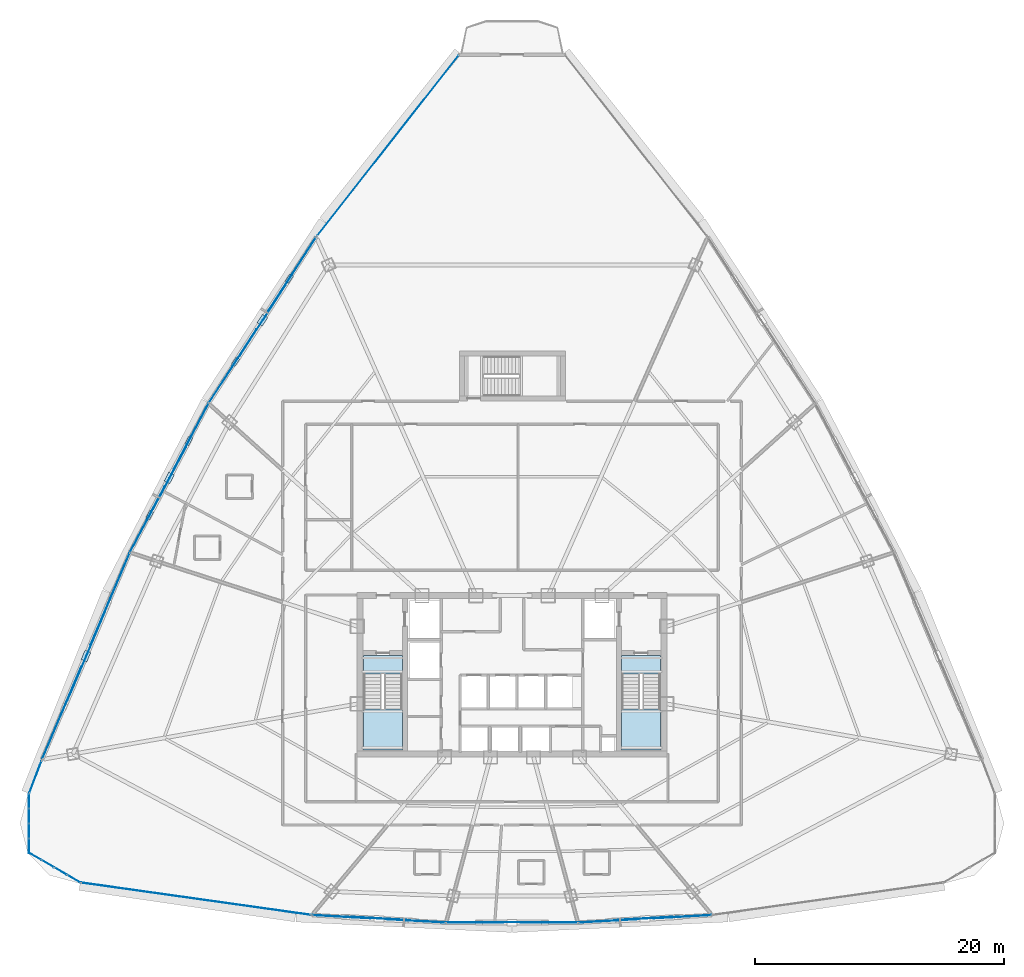
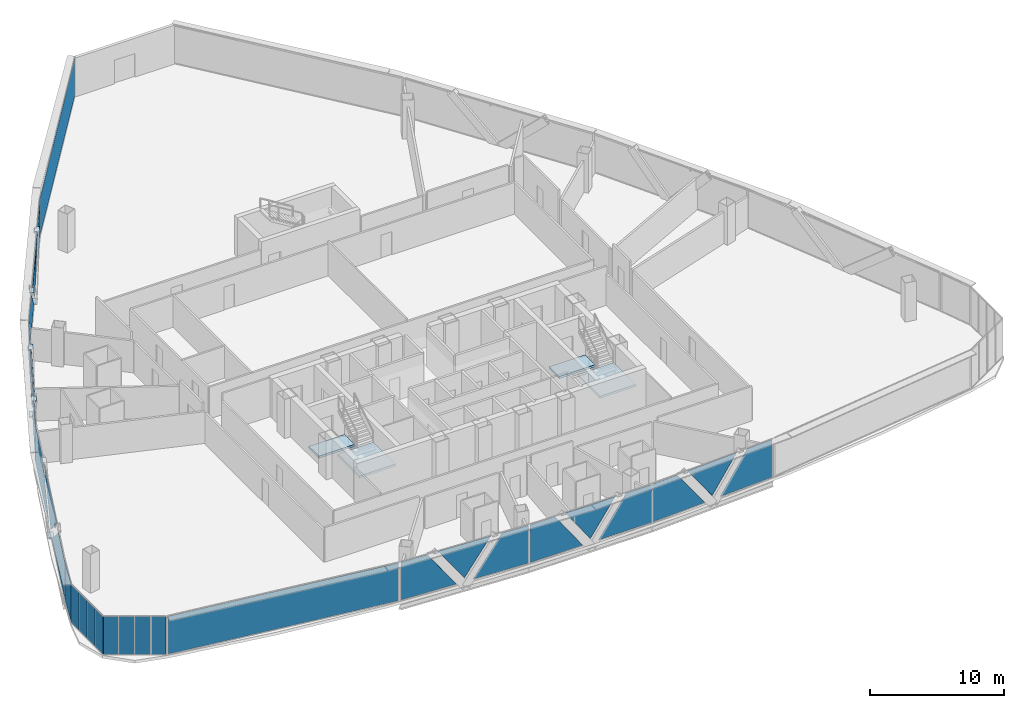
# One storey, part 28 of 40: 36 plates, 4 slabs, 13 elements without a shape of their own.
"""IFC4 building model written with IfcOpenShell, lengths in metres."""

from ifc_helpers import new_model, si_unit, direction, frame, origin, origin_2d, place, context, subcontext, project, spatial, polyline, rectangle, outline, extrude, source, transform, mapped, material, layer, layer_set, type_object, element, aggregate, save


model = new_model("IFC4")

# Units and contexts
model_context = context("Model", 3, precision=1e-05, world=origin(), true_north=direction((0.0, 1.0)))
body_context = subcontext(model_context, "Body", "Model", "MODEL_VIEW")
ifc_project = project(units=[si_unit("LENGTHUNIT", "METRE"), si_unit("AREAUNIT", "SQUARE_METRE"), si_unit("VOLUMEUNIT", "CUBIC_METRE"), si_unit("PLANEANGLEUNIT", "RADIAN"), si_unit("MASSUNIT", "GRAM", prefix="KILO"), si_unit("THERMODYNAMICTEMPERATUREUNIT", "KELVIN"), si_unit("POWERUNIT", "WATT")], contexts=[model_context])

# Site, building, storey
site_placement = place(None, origin())
site = spatial("IfcSite", under=ifc_project, at=site_placement, CompositionType="ELEMENT")
building_placement = place(site_placement, origin())
building = spatial("IfcBuilding", under=site, at=building_placement, Name="Yunzhuo Pagoda Commons", CompositionType="ELEMENT")
storey_placement = place(building_placement, frame((0.0, 0.0, 184.760009765625)))
storey = spatial("IfcBuildingStorey", under=building, at=storey_placement, Name="L46", CompositionType="ELEMENT", Elevation=184.760009765625)

# Curtain wall, plates
ifc_material_1 = material(Name="Anodized aluminium 6063-T6", Category="aluminium")
ifc_layer_1 = layer(ifc_material_1, 0.14990234375)
ifc_layer_set_1 = layer_set([ifc_layer_1], Name="Anodized aluminium 6063-T6")
curtain_wall_type_1 = type_object("IfcCurtainWallType", Name="CW-MID Mid-Zone Ribbon Curtain Wall", PredefinedType="NOTDEFINED", material=ifc_layer_set_1)
curtain_wall_1_placement = place(storey_placement, origin())
curtain_wall_1 = element("IfcCurtainWall", 1, at=curtain_wall_1_placement, inside=storey, type_object=curtain_wall_type_1, Name="L46 curtain wall CW-L46-F1B2", PredefinedType="NOTDEFINED")
ifc_material_2 = material(Name="Tempered low-e double glazing", Category="glass")
ifc_layer_2 = layer(ifc_material_2, 0.028076171875)
ifc_layer_set_2 = layer_set([ifc_layer_2], Name="Tempered low-e double glazing")
plate_type_1 = type_object("IfcPlateType", Name="CW-MID-P Low-E Double Glazing 28", PredefinedType="CURTAIN_PANEL", material=ifc_layer_set_2)
plate_1_placement = place(storey_placement, frame((34.329345703125, 14.455810546875, 1.77001953125), z_axis=(-0.056142665584, -0.998422756702, 0.0), x_axis=(0.998422756702, -0.056142665584, 0.0)))
plate_1 = element("IfcPlate", 2, at=plate_1_placement, type_object=plate_type_1, Name="CW panel 1.1 lite 1", PredefinedType="CURTAIN_PANEL", context=body_context, shape_type="SweptSolid", body=[
    extrude(outline(polyline([(-2.31982421875, -1.715087890625), (2.31982421875, -1.715087890625), (-0.1123046875, 1.715087890625), (-2.31982421875, 1.715087890625), (-2.31982421875, -1.715087890625)])), origin(), (0.0, 0.0, 1.0), 0.028076171875),
])
plate_2_placement = place(storey_placement, frame((37.33544921875, 14.31689453125, 1.94091796875), z_axis=(-0.056142665584, -0.998422756702, 0.0), x_axis=(0.998422756702, -0.056142665584, 0.0)))
plate_2 = element("IfcPlate", 3, at=plate_2_placement, type_object=plate_type_1, Name="CW panel 1.1 lite 2", PredefinedType="CURTAIN_PANEL", context=body_context, shape_type="SweptSolid", body=[
    extrude(outline(polyline([(-2.189697265625, 1.5439453125), (0.0, -1.5439453125), (2.189697265625, 1.5439453125), (-2.189697265625, 1.5439453125)])), origin(), (0.0, 0.0, 1.0), 0.028076171875),
])
plate_3_placement = place(storey_placement, frame((40.338134765625, 14.117919921875, 1.77001953125), z_axis=(-0.056142665584, -0.998422756702, 0.0), x_axis=(0.998422756702, -0.056142665584, 0.0)))
plate_3 = element("IfcPlate", 4, at=plate_3_placement, type_object=plate_type_1, Name="CW panel 1.1 lite 3", PredefinedType="CURTAIN_PANEL", context=body_context, shape_type="SweptSolid", body=[
    extrude(outline(polyline([(-2.31982421875, -1.715087890625), (2.31982421875, -1.715087890625), (2.31982421875, 1.715087890625), (0.1123046875, 1.715087890625), (-2.31982421875, -1.715087890625)])), origin(), (0.0, 0.0, 1.0), 0.028076171875),
])
aggregate(curtain_wall_1, [plate_1, plate_2, plate_3])

curtain_wall_2_placement = place(storey_placement, origin())
curtain_wall_2 = element("IfcCurtainWall", 5, at=curtain_wall_2_placement, inside=storey, type_object=curtain_wall_type_1, Name="L46 curtain wall CW-L46-F1B3", PredefinedType="NOTDEFINED")
plate_4_placement = place(storey_placement, frame((45.045654296875, 13.984375, 1.77001953125), z_axis=(0.0, -1.0, 0.0), x_axis=(1.0, 0.0, 0.0)))
plate_4 = element("IfcPlate", 6, at=plate_4_placement, type_object=plate_type_1, Name="CW panel 1.1 lite 1", PredefinedType="CURTAIN_PANEL", context=body_context, shape_type="SweptSolid", body=[
    extrude(outline(polyline([(-2.272216796875, -1.715087890625), (2.272216796875, -1.715087890625), (-0.113525390625, 1.715087890625), (-2.272216796875, 1.715087890625), (-2.272216796875, -1.715087890625)])), origin(), (0.0, 0.0, 1.0), 0.028076171875),
])
plate_5_placement = place(storey_placement, frame((48.0, 14.0146484375, 1.9453125), z_axis=(0.0, -1.0, 0.0), x_axis=(1.0, 0.0, 0.0)))
plate_5 = element("IfcPlate", 7, at=plate_5_placement, type_object=plate_type_1, Name="CW panel 1.1 lite 2", PredefinedType="CURTAIN_PANEL", context=body_context, shape_type="SweptSolid", body=[
    extrude(outline(polyline([(-2.14208984375, 1.539794921875), (0.0, -1.539794921875), (2.14208984375, 1.539794921875), (-2.14208984375, 1.539794921875)])), origin(), (0.0, 0.0, 1.0), 0.028076171875),
])
plate_6_placement = place(storey_placement, frame((50.954345703125, 13.984375, 1.77001953125), z_axis=(0.0, -1.0, 0.0), x_axis=(1.0, 0.0, 0.0)))
plate_6 = element("IfcPlate", 8, at=plate_6_placement, type_object=plate_type_1, Name="CW panel 1.1 lite 3", PredefinedType="CURTAIN_PANEL", context=body_context, shape_type="SweptSolid", body=[
    extrude(outline(polyline([(-2.272216796875, -1.715087890625), (2.272216796875, -1.715087890625), (2.272216796875, 1.715087890625), (0.113525390625, 1.715087890625), (-2.272216796875, -1.715087890625)])), origin(), (0.0, 0.0, 1.0), 0.028076171875),
])
aggregate(curtain_wall_2, [plate_4, plate_5, plate_6])

curtain_wall_3_placement = place(storey_placement, origin())
curtain_wall_3 = element("IfcCurtainWall", 9, at=curtain_wall_3_placement, inside=storey, type_object=curtain_wall_type_1, Name="L46 curtain wall CW-L46-F1B4", PredefinedType="NOTDEFINED")
plate_7_placement = place(storey_placement, frame((55.661865234375, 14.117919921875, 1.77001953125), z_axis=(0.056142665584, -0.998422756702, 0.0), x_axis=(0.998422756702, 0.056142665584, 0.0)))
plate_7 = element("IfcPlate", 10, at=plate_7_placement, type_object=plate_type_1, Name="CW panel 1.1 lite 1", PredefinedType="CURTAIN_PANEL", context=body_context, shape_type="SweptSolid", body=[
    extrude(outline(polyline([(-2.31982421875, -1.715087890625), (2.31982421875, -1.715087890625), (-0.1123046875, 1.715087890625), (-2.31982421875, 1.715087890625), (-2.31982421875, -1.715087890625)])), origin(), (0.0, 0.0, 1.0), 0.028076171875),
])
plate_8_placement = place(storey_placement, frame((58.66455078125, 14.31689453125, 1.94091796875), z_axis=(0.056142665584, -0.998422756702, 0.0), x_axis=(0.998422756702, 0.056142665584, 0.0)))
plate_8 = element("IfcPlate", 11, at=plate_8_placement, type_object=plate_type_1, Name="CW panel 1.1 lite 2", PredefinedType="CURTAIN_PANEL", context=body_context, shape_type="SweptSolid", body=[
    extrude(outline(polyline([(-2.189697265625, 1.5439453125), (0.0, -1.5439453125), (2.189697265625, 1.5439453125), (-2.189697265625, 1.5439453125)])), origin(), (0.0, 0.0, 1.0), 0.028076171875),
])
plate_9_placement = place(storey_placement, frame((61.670654296875, 14.455810546875, 1.77001953125), z_axis=(0.056142665584, -0.998422756702, 0.0), x_axis=(0.998422756702, 0.056142665584, 0.0)))
plate_9 = element("IfcPlate", 12, at=plate_9_placement, type_object=plate_type_1, Name="CW panel 1.1 lite 3", PredefinedType="CURTAIN_PANEL", context=body_context, shape_type="SweptSolid", body=[
    extrude(outline(polyline([(-2.31982421875, -1.715087890625), (2.31982421875, -1.715087890625), (2.31982421875, 1.715087890625), (0.1123046875, 1.715087890625), (-2.31982421875, -1.715087890625)])), origin(), (0.0, 0.0, 1.0), 0.028076171875),
])
aggregate(curtain_wall_3, [plate_7, plate_8, plate_9])

curtain_wall_4_placement = place(storey_placement, origin())
curtain_wall_4 = element("IfcCurtainWall", 13, at=curtain_wall_4_placement, inside=storey, type_object=curtain_wall_type_1, Name="L46 curtain wall CW-L46-F3B2", PredefinedType="NOTDEFINED")
plate_10_placement = place(storey_placement, frame((30.375732421875, 65.96044921875, 1.77001953125), z_axis=(-0.839626850374, 0.543163651335, 0.0), x_axis=(-0.543163651335, -0.839626850374, 0.0)))
plate_10 = element("IfcPlate", 14, at=plate_10_placement, type_object=plate_type_1, Name="CW panel 1.1 lite 1", PredefinedType="CURTAIN_PANEL", context=body_context, shape_type="SweptSolid", body=[
    extrude(outline(polyline([(-3.505126953125, -1.715087890625), (3.505126953125, -1.715087890625), (-0.082763671875, 1.715087890625), (-3.505126953125, 1.715087890625), (-3.505126953125, -1.715087890625)])), origin(), (0.0, 0.0, 1.0), 0.028076171875),
])
plate_11_placement = place(storey_placement, frame((28.01953125, 62.2626953125, 1.87548828125), z_axis=(-0.839626850374, 0.543163651335, 0.0), x_axis=(-0.543163651335, -0.839626850374, 0.0)))
plate_11 = element("IfcPlate", 15, at=plate_11_placement, type_object=plate_type_1, Name="CW panel 1.1 lite 2", PredefinedType="CURTAIN_PANEL", context=body_context, shape_type="SweptSolid", body=[
    extrude(outline(polyline([(-3.367431640625, 1.609619140625), (0.0, -1.609619140625), (3.367431640625, 1.609619140625), (-3.367431640625, 1.609619140625)])), origin(), (0.0, 0.0, 1.0), 0.028076171875),
])
plate_12_placement = place(storey_placement, frame((25.61279296875, 58.597412109375, 1.77001953125), z_axis=(-0.839626850374, 0.543163651335, 0.0), x_axis=(-0.543163651335, -0.839626850374, 0.0)))
plate_12 = element("IfcPlate", 16, at=plate_12_placement, type_object=plate_type_1, Name="CW panel 1.1 lite 3", PredefinedType="CURTAIN_PANEL", context=body_context, shape_type="SweptSolid", body=[
    extrude(outline(polyline([(-3.505126953125, -1.715087890625), (3.505126953125, -1.715087890625), (3.505126953125, 1.715087890625), (0.082763671875, 1.715087890625), (-3.505126953125, -1.715087890625)])), origin(), (0.0, 0.0, 1.0), 0.028076171875),
])
aggregate(curtain_wall_4, [plate_10, plate_11, plate_12])

curtain_wall_5_placement = place(storey_placement, origin())
curtain_wall_5 = element("IfcCurtainWall", 17, at=curtain_wall_5_placement, inside=storey, type_object=curtain_wall_type_1, Name="L46 curtain wall CW-L46-F3B3", PredefinedType="NOTDEFINED")
plate_13_placement = place(storey_placement, frame((22.26953125, 52.938720703125, 1.77001953125), z_axis=(-0.884373131246, 0.46678063877, 0.0), x_axis=(-0.46678063877, -0.884373131246, 0.0)))
plate_13 = element("IfcPlate", 18, at=plate_13_placement, type_object=plate_type_1, Name="CW panel 1.1 lite 1", PredefinedType="CURTAIN_PANEL", context=body_context, shape_type="SweptSolid", body=[
    extrude(outline(polyline([(-2.955078125, -1.715087890625), (2.955078125, -1.715087890625), (-0.09521484375, 1.715087890625), (-2.955078125, 1.715087890625), (-2.955078125, -1.715087890625)])), origin(), (0.0, 0.0, 1.0), 0.028076171875),
])
plate_14_placement = place(storey_placement, frame((20.548828125, 49.61376953125, 1.8984375), z_axis=(-0.884373131246, 0.46678063877, 0.0), x_axis=(-0.46678063877, -0.884373131246, 0.0)))
plate_14 = element("IfcPlate", 19, at=plate_14_placement, type_object=plate_type_1, Name="CW panel 1.1 lite 2", PredefinedType="CURTAIN_PANEL", context=body_context, shape_type="SweptSolid", body=[
    extrude(outline(polyline([(-2.822021484375, 1.586669921875), (0.0, -1.586669921875), (2.822021484375, 1.586669921875), (-2.822021484375, 1.586669921875)])), origin(), (0.0, 0.0, 1.0), 0.028076171875),
])
plate_15_placement = place(storey_placement, frame((18.774658203125, 46.317138671875, 1.77001953125), z_axis=(-0.884373131246, 0.46678063877, 0.0), x_axis=(-0.46678063877, -0.884373131246, 0.0)))
plate_15 = element("IfcPlate", 20, at=plate_15_placement, type_object=plate_type_1, Name="CW panel 1.1 lite 3", PredefinedType="CURTAIN_PANEL", context=body_context, shape_type="SweptSolid", body=[
    extrude(outline(polyline([(-2.955078125, -1.715087890625), (2.955078125, -1.715087890625), (2.955078125, 1.715087890625), (0.095458984375, 1.715087890625), (-2.955078125, -1.715087890625)])), origin(), (0.0, 0.0, 1.0), 0.028076171875),
])
aggregate(curtain_wall_5, [plate_13, plate_14, plate_15])

curtain_wall_6_placement = place(storey_placement, origin())
curtain_wall_6 = element("IfcCurtainWall", 21, at=curtain_wall_6_placement, inside=storey, type_object=curtain_wall_type_1, Name="L46 curtain wall CW-L46-F3B4", PredefinedType="NOTDEFINED")
plate_16_placement = place(storey_placement, frame((15.782470703125, 39.916748046875, 1.77001953125), z_axis=(-0.920515325194, 0.390706457693, 0.0), x_axis=(-0.390706457693, -0.920515325194, 0.0)))
plate_16 = element("IfcPlate", 22, at=plate_16_placement, type_object=plate_type_1, Name="CW panel 1.1 lite 1", PredefinedType="CURTAIN_PANEL", context=body_context, shape_type="SweptSolid", body=[
    extrude(outline(polyline([(-3.99755859375, -1.715087890625), (3.99755859375, -1.715087890625), (-0.07275390625, 1.715087890625), (-3.99755859375, 1.715087890625), (-3.99755859375, -1.715087890625)])), origin(), (0.0, 0.0, 1.0), 0.028076171875),
])
plate_17_placement = place(storey_placement, frame((13.871826171875, 35.33837890625, 1.86083984375), z_axis=(-0.920515325194, 0.390706457693, 0.0), x_axis=(-0.390706457693, -0.920515325194, 0.0)))
plate_17 = element("IfcPlate", 23, at=plate_17_placement, type_object=plate_type_1, Name="CW panel 1.1 lite 2", PredefinedType="CURTAIN_PANEL", context=body_context, shape_type="SweptSolid", body=[
    extrude(outline(polyline([(-3.8544921875, 1.6240234375), (0.0, -1.6240234375), (3.8544921875, 1.6240234375), (-3.8544921875, 1.6240234375)])), origin(), (0.0, 0.0, 1.0), 0.028076171875),
])
plate_18_placement = place(storey_placement, frame((11.906005859375, 30.783447265625, 1.77001953125), z_axis=(-0.920515325194, 0.390706457693, 0.0), x_axis=(-0.390706457693, -0.920515325194, 0.0)))
plate_18 = element("IfcPlate", 24, at=plate_18_placement, type_object=plate_type_1, Name="CW panel 1.1 lite 3", PredefinedType="CURTAIN_PANEL", context=body_context, shape_type="SweptSolid", body=[
    extrude(outline(polyline([(-3.99755859375, -1.715087890625), (3.99755859375, -1.715087890625), (3.99755859375, 1.715087890625), (0.072509765625, 1.715087890625), (-3.99755859375, -1.715087890625)])), origin(), (0.0, 0.0, 1.0), 0.028076171875),
])
aggregate(curtain_wall_6, [plate_16, plate_17, plate_18])

# Stair, slabs
ifc_material_3 = material(Name="Concrete C40", Category="concrete")
stair_type_1 = type_object("IfcStairType", Name="ST-C1 Core Smokeproof Stair ST1", PredefinedType="HALF_TURN_STAIR", material=ifc_material_3)
stair_1_placement = place(storey_placement, origin())
stair_1 = element("IfcStair", 25, at=stair_1_placement, inside=storey, type_object=stair_type_1, Name="L46 Core smokeproof stair ST1", PredefinedType="HALF_TURN_STAIR")
ifc_layer_3 = layer(ifc_material_3, 0.199951171875)
ifc_layer_set_3 = layer_set([ifc_layer_3], Name="Concrete C40")
slab_type_1 = type_object("IfcSlabType", Name="SL-LND1 Stair Landing Slab 200", PredefinedType="LANDING", material=ifc_layer_set_3)
slab_1_placement = place(storey_placement, frame((0.0, 0.0, 1.699951171875)))
slab_1 = element("IfcSlab", 26, at=slab_1_placement, type_object=slab_type_1, Name="ST1 landing 1", PredefinedType="LANDING", context=body_context, shape_type="SweptSolid", body=[
    extrude(outline(polyline([(36.10009765625, 31.10009765625), (36.10009765625, 27.800048828125), (39.199951171875, 27.800048828125), (39.199951171875, 31.10009765625), (36.10009765625, 31.10009765625)])), origin(), (0.0, 0.0, 1.0), 0.199951171875),
])
slab_2_placement = place(storey_placement, frame((0.0, 0.0, -0.199951171875)))
slab_2 = element("IfcSlab", 27, at=slab_2_placement, type_object=slab_type_1, Name="ST1 floor landing L46", PredefinedType="LANDING", context=body_context, shape_type="SweptSolid", body=[
    extrude(outline(polyline([(36.10009765625, 35.39990234375), (36.10009765625, 33.89990234375), (39.199951171875, 33.89990234375), (39.199951171875, 35.39990234375), (36.10009765625, 35.39990234375)])), origin(), (0.0, 0.0, 1.0), 0.199951171875),
])
aggregate(stair_1, [slab_1, slab_2])

stair_type_2 = type_object("IfcStairType", Name="ST-C2 Core Smokeproof Stair ST2", PredefinedType="HALF_TURN_STAIR", material=ifc_material_3)
stair_2_placement = place(storey_placement, origin())
stair_2 = element("IfcStair", 28, at=stair_2_placement, inside=storey, type_object=stair_type_2, Name="L46 Core smokeproof stair ST2", PredefinedType="HALF_TURN_STAIR")
ifc_layer_4 = layer(ifc_material_3, 0.201904296875)
ifc_layer_set_4 = layer_set([ifc_layer_4], Name="Concrete C40")
slab_type_2 = type_object("IfcSlabType", Name="SL-LND2 Stair Landing Slab 202", PredefinedType="LANDING", material=ifc_layer_set_4)
slab_3_placement = place(storey_placement, frame((0.0, 0.0, 1.699951171875)))
slab_3 = element("IfcSlab", 29, at=slab_3_placement, type_object=slab_type_2, Name="ST2 landing 1", PredefinedType="LANDING", context=body_context, shape_type="SweptSolid", body=[
    extrude(outline(polyline([(56.800048828125, 31.10009765625), (56.800048828125, 27.800048828125), (59.89990234375, 27.800048828125), (59.89990234375, 31.10009765625), (56.800048828125, 31.10009765625)])), origin(), (0.0, 0.0, 1.0), 0.199951171875),
])
slab_4_placement = place(storey_placement, frame((0.0, 0.0, -0.199951171875)))
slab_4 = element("IfcSlab", 30, at=slab_4_placement, type_object=slab_type_2, Name="ST2 floor landing L46", PredefinedType="LANDING", context=body_context, shape_type="SweptSolid", body=[
    extrude(outline(polyline([(56.800048828125, 35.39990234375), (56.800048828125, 33.89990234375), (59.89990234375, 33.89990234375), (59.89990234375, 35.39990234375), (56.800048828125, 35.39990234375)])), origin(), (0.0, 0.0, 1.0), 0.199951171875),
])
aggregate(stair_2, [slab_3, slab_4])

# Plates
ifc_material_4 = material(Name="Structural steel Q355B", Category="steel")
ifc_layer_5 = layer(ifc_material_4, 0.028076171875)
ifc_layer_set_5 = layer_set([ifc_layer_5], Name="Structural steel Q355B")
plate_type_2 = type_object("IfcPlateType", Name="SP-ND1 Lattice Node Cap Plate 800x500x28", PredefinedType="USERDEFINED", material=ifc_layer_set_5)
shared_shape_1 = source(origin(), body_context, "Body", "SweptSolid", [
    extrude(rectangle(XDim=0.800048828125, YDim=0.5, at=origin_2d()), origin(), (0.0, 0.0, 1.0), 0.028076171875),
])
for number, where, z_axis, x_axis, name in (
    (31, (27.982666015625, 62.28662109375, -0.27392578125), (0.0, 0.0, 1.0), (-0.543159795737, -0.839629344589, 0.0), "L46 diamond node plate F3.1A"),
    (32, (20.509765625, 49.634521484375, -0.27392578125), (0.0, 0.0, 1.0), (-0.46678800242, -0.884369244601, 0.0), "L46 diamond node plate F3.2A"),
    (33, (13.831298828125, 35.35546875, -0.27392578125), (0.0, 0.0, 1.0), (-0.39069899657, -0.920518491981, 0.0), "L46 diamond node plate F3.3A"),
):
    element("IfcPlate", number, at=place(storey_placement, frame(where, z_axis=z_axis, x_axis=x_axis)), inside=storey, type_object=plate_type_2, Name=name, ObjectType="STIFFENER_PLATE", PredefinedType="USERDEFINED", context=body_context, shape_type="MappedRepresentation", body=[
        mapped(shared_shape_1, transform((0.0, 0.0, 0.0), scale=1.0)),
    ])
shared_shape_2 = source(origin(), body_context, "Body", "SweptSolid", [
    extrude(rectangle(XDim=0.699951171875, YDim=0.35009765625, at=origin_2d()), origin(), (0.0, 0.0, 1.0), 0.035888671875),
])
for number, where, z_axis, x_axis, name in (
    (34, (30.1416015625, 65.623779296875, 3.501953125), (0.0, 0.0, 1.0), (-0.543159795737, -0.839629344589, 0.0), "L46 setback lattice tie plate F3.1L"),
    (35, (25.823486328125, 58.94921875, 3.501953125), (0.0, 0.0, 1.0), (-0.543159795737, -0.839629344589, 0.0), "L46 setback lattice tie plate F3.1R"),
    (36, (22.087158203125, 52.623046875, 3.501953125), (0.0, 0.0, 1.0), (-0.46678800242, -0.884369244601, 0.0), "L46 setback lattice tie plate F3.2L"),
    (37, (18.932373046875, 46.645751953125, 3.501953125), (0.0, 0.0, 1.0), (-0.46678800242, -0.884369244601, 0.0), "L46 setback lattice tie plate F3.2R"),
):
    element("IfcPlate", number, at=place(storey_placement, frame(where, z_axis=z_axis, x_axis=x_axis)), inside=storey, type_object=plate_type_2, Name=name, ObjectType="STIFFENER_PLATE", PredefinedType="USERDEFINED", context=body_context, shape_type="MappedRepresentation", body=[
        mapped(shared_shape_2, transform((0.0, 0.0, 0.0), scale=1.0)),
    ])

# Curtain wall, plate
curtain_wall_7_placement = place(storey_placement, origin())
curtain_wall_7 = element("IfcCurtainWall", 38, at=curtain_wall_7_placement, inside=storey, type_object=curtain_wall_type_1, Name="L46 curtain wall CW-L46-F1B1", PredefinedType="NOTDEFINED")
shared_shape_3 = source(origin(), body_context, "Body", "SweptSolid", [
    extrude(rectangle(XDim=18.564453125, YDim=0.028076171875, at=origin_2d()), origin(), (0.0, 0.0, 1.0), 3.429931640625),
])
plate_19_placement = place(storey_placement, frame((22.626953125, 15.88671875, 0.05517578125), z_axis=(0.0, 0.0, 1.0), x_axis=(0.990259634524, -0.139233100351, 0.0)))
plate_19 = element("IfcPlate", 39, at=plate_19_placement, type_object=plate_type_1, Name="CW panel 1.1", PredefinedType="CURTAIN_PANEL", context=body_context, shape_type="MappedRepresentation", body=[
    mapped(shared_shape_3, transform((0.0, 0.0, 0.0), scale=1.0)),
])
aggregate(curtain_wall_7, [plate_19])

curtain_wall_8_placement = place(storey_placement, origin())
curtain_wall_8 = element("IfcCurtainWall", 40, at=curtain_wall_8_placement, inside=storey, type_object=curtain_wall_type_1, Name="L46 curtain wall CW-L46-F3B5", PredefinedType="NOTDEFINED")
shared_shape_4 = source(origin(), body_context, "Body", "SweptSolid", [
    extrude(rectangle(XDim=2.718994140625, YDim=0.028076171875, at=origin_2d()), origin(), (0.0, 0.0, 1.0), 3.429931640625),
])
plate_20_placement = place(storey_placement, frame((9.7783203125, 25.65625, 0.05517578125), z_axis=(0.0, 0.0, 1.0), x_axis=(-0.354256000401, -0.935148483493, 0.0)))
plate_20 = element("IfcPlate", 41, at=plate_20_placement, type_object=plate_type_1, Name="CW panel 1.1", PredefinedType="CURTAIN_PANEL", context=body_context, shape_type="MappedRepresentation", body=[
    mapped(shared_shape_4, transform((0.0, 0.0, 0.0), scale=1.0)),
])
aggregate(curtain_wall_8, [plate_20])

curtain_wall_9_placement = place(storey_placement, origin())
curtain_wall_9 = element("IfcCurtainWall", 42, at=curtain_wall_9_placement, inside=storey, type_object=curtain_wall_type_1, Name="L46 curtain wall CW-L46-F3B1", PredefinedType="NOTDEFINED")
shared_shape_5 = source(origin(), body_context, "Body", "SweptSolid", [
    extrude(rectangle(XDim=18.384765625, YDim=0.028076171875, at=origin_2d()), origin(), (0.0, 0.0, 1.0), 3.429931640625),
])
plate_21_placement = place(storey_placement, frame((38.055908203125, 76.301513671875, 0.05517578125), z_axis=(0.0, 0.0, 1.0), x_axis=(-0.617016460427, -0.786950244655, 0.0)))
plate_21 = element("IfcPlate", 43, at=plate_21_placement, type_object=plate_type_1, Name="CW panel 1.1", PredefinedType="CURTAIN_PANEL", context=body_context, shape_type="MappedRepresentation", body=[
    mapped(shared_shape_5, transform((0.0, 0.0, 0.0), scale=1.0)),
])
aggregate(curtain_wall_9, [plate_21])

# Curtain wall, plates
ifc_layer_6 = layer(ifc_material_1, 0.1298828125)
ifc_layer_set_6 = layer_set([ifc_layer_6], Name="Anodized aluminium 6063-T6")
curtain_wall_type_2 = type_object("IfcCurtainWallType", Name="CW-VTX Rounded Corner Curtain Wall", PredefinedType="NOTDEFINED", material=ifc_layer_set_6)
curtain_wall_10_placement = place(storey_placement, origin())
curtain_wall_10 = element("IfcCurtainWall", 44, at=curtain_wall_10_placement, inside=storey, type_object=curtain_wall_type_2, Name="L46 curtain wall CW-L46-VTX1S1", PredefinedType="NOTDEFINED")
ifc_layer_7 = layer(ifc_material_2, 0.02587890625)
ifc_layer_set_7 = layer_set([ifc_layer_7], Name="Tempered low-e double glazing")
plate_type_3 = type_object("IfcPlateType", Name="CW-VTX-P Low-E Double Glazing 26", PredefinedType="CURTAIN_PANEL", material=ifc_layer_set_7)
shared_shape_6 = source(origin(), body_context, "Body", "SweptSolid", [
    extrude(rectangle(XDim=1.118408203125, YDim=0.028076171875, at=origin_2d()), origin(), (0.0, 0.0, 1.0), 3.429931640625),
])
plate_22_placement = place(storey_placement, frame((9.273193359375, 23.714599609375, 0.05517578125), z_axis=(0.0, 0.0, 1.0), x_axis=(-0.003580326762, -0.99999359061, 0.0)))
plate_22 = element("IfcPlate", 45, at=plate_22_placement, type_object=plate_type_3, Name="CW panel 1.1", PredefinedType="CURTAIN_PANEL", context=body_context, shape_type="MappedRepresentation", body=[
    mapped(shared_shape_6, transform((0.0, 0.0, 0.0), scale=1.0)),
])
plate_23_placement = place(storey_placement, frame((9.260498046875, 20.13916015625, 0.05517578125), z_axis=(0.0, 0.0, 1.0), x_axis=(-0.003580326762, -0.99999359061, 0.0)))
plate_23 = element("IfcPlate", 46, at=plate_23_placement, type_object=plate_type_3, Name="CW panel 4.1", PredefinedType="CURTAIN_PANEL", context=body_context, shape_type="MappedRepresentation", body=[
    mapped(shared_shape_6, transform((0.0, 0.0, 0.0), scale=1.0)),
])

curtain_wall_11_placement = place(storey_placement, origin())
curtain_wall_11 = element("IfcCurtainWall", 47, at=curtain_wall_11_placement, inside=storey, type_object=curtain_wall_type_2, Name="L46 curtain wall CW-L46-VTX1S2", PredefinedType="NOTDEFINED")
plate_24_placement = place(storey_placement, frame((9.75, 19.28662109375, 0.05517578125), z_axis=(0.0, 0.0, 1.0), x_axis=(0.865423910208, -0.501040373263, 0.0)))
plate_24 = element("IfcPlate", 48, at=plate_24_placement, type_object=plate_type_3, Name="CW panel 1.1", PredefinedType="CURTAIN_PANEL", context=body_context, shape_type="MappedRepresentation", body=[
    mapped(shared_shape_6, transform((0.0, 0.0, 0.0), scale=1.0)),
])
plate_25_placement = place(storey_placement, frame((12.84423828125, 17.4951171875, 0.05517578125), z_axis=(0.0, 0.0, 1.0), x_axis=(0.865423910208, -0.501040373263, 0.0)))
plate_25 = element("IfcPlate", 49, at=plate_25_placement, type_object=plate_type_3, Name="CW panel 4.1", PredefinedType="CURTAIN_PANEL", context=body_context, shape_type="MappedRepresentation", body=[
    mapped(shared_shape_6, transform((0.0, 0.0, 0.0), scale=1.0)),
])

# Plate
shared_shape_7 = source(origin(), body_context, "Body", "SweptSolid", [
    extrude(rectangle(XDim=1.14599609375, YDim=0.028076171875, at=origin_2d()), origin(), (0.0, 0.0, 1.0), 3.429931640625),
])
plate_26_placement = place(storey_placement, frame((9.26904296875, 22.52734375, 0.05517578125), z_axis=(0.0, 0.0, 1.0), x_axis=(-0.003580326762, -0.99999359061, 0.0)))
plate_26 = element("IfcPlate", 50, at=plate_26_placement, type_object=plate_type_3, Name="CW panel 2.1", PredefinedType="CURTAIN_PANEL", context=body_context, shape_type="MappedRepresentation", body=[
    mapped(shared_shape_7, transform((0.0, 0.0, 0.0), scale=1.0)),
])

plate_27_placement = place(storey_placement, frame((9.2646484375, 21.326416015625, 0.05517578125), z_axis=(0.0, 0.0, 1.0), x_axis=(-0.003580326762, -0.99999359061, 0.0)))
plate_27 = element("IfcPlate", 51, at=plate_27_placement, type_object=plate_type_3, Name="CW panel 3.1", PredefinedType="CURTAIN_PANEL", context=body_context, shape_type="MappedRepresentation", body=[
    mapped(shared_shape_7, transform((0.0, 0.0, 0.0), scale=1.0)),
])

aggregate(curtain_wall_10, [plate_22, plate_26, plate_27, plate_23])

plate_28_placement = place(storey_placement, frame((10.77734375, 18.69189453125, 0.05517578125), z_axis=(0.0, 0.0, 1.0), x_axis=(0.865423910208, -0.501040373263, 0.0)))
plate_28 = element("IfcPlate", 52, at=plate_28_placement, type_object=plate_type_3, Name="CW panel 2.1", PredefinedType="CURTAIN_PANEL", context=body_context, shape_type="MappedRepresentation", body=[
    mapped(shared_shape_7, transform((0.0, 0.0, 0.0), scale=1.0)),
])

plate_29_placement = place(storey_placement, frame((11.816650390625, 18.090087890625, 0.05517578125), z_axis=(0.0, 0.0, 1.0), x_axis=(0.865423910208, -0.501040373263, 0.0)))
plate_29 = element("IfcPlate", 53, at=plate_29_placement, type_object=plate_type_3, Name="CW panel 3.1", PredefinedType="CURTAIN_PANEL", context=body_context, shape_type="MappedRepresentation", body=[
    mapped(shared_shape_7, transform((0.0, 0.0, 0.0), scale=1.0)),
])

aggregate(curtain_wall_11, [plate_24, plate_28, plate_29, plate_25])

save(model, "model.ifc")
